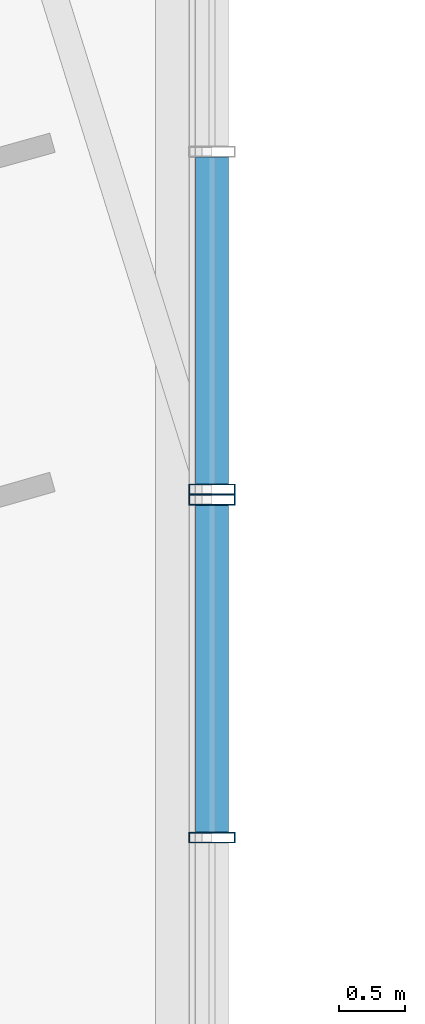
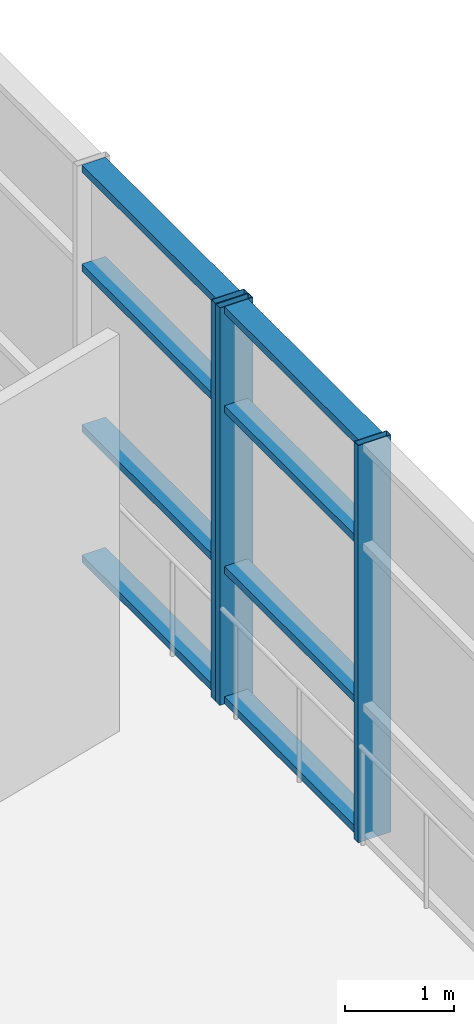
# One storey, part 7 of 26: 11 members, 2 elements without a shape of their own.
"""IFC4 building model written with IfcOpenShell, lengths in metres."""

from ifc_helpers import new_model, si_unit, direction, frame, origin, origin_2d, place, context, subcontext, project, spatial, hollow_rectangle, extrude, material, layer, layer_set, material_profile, profile_set, type_object, element, aggregate, save


model = new_model("IFC4")

# Units and contexts
model_context = context("Model", 3, precision=1e-05, world=origin(), true_north=direction((0.0, 1.0)))
body_context = subcontext(model_context, "Body", "Model", "MODEL_VIEW")
ifc_project = project(units=[si_unit("LENGTHUNIT", "METRE"), si_unit("AREAUNIT", "SQUARE_METRE"), si_unit("VOLUMEUNIT", "CUBIC_METRE"), si_unit("PLANEANGLEUNIT", "RADIAN"), si_unit("MASSUNIT", "GRAM", prefix="KILO")], contexts=[model_context])

# Site, building, storey
site_placement = place(None, origin())
site = spatial("IfcSite", under=ifc_project, at=site_placement, CompositionType="ELEMENT")
building_placement = place(site_placement, origin())
building = spatial("IfcBuilding", under=site, at=building_placement, Name="Tuul Gate Civic Tower", CompositionType="ELEMENT")
storey_placement = place(building_placement, frame((0.0, 0.0, 7.5)))
storey = spatial("IfcBuildingStorey", under=building, at=storey_placement, Name="Level 01", CompositionType="ELEMENT", Elevation=7.5)

# Curtain wall, members
ifc_material_1 = material(Name="Stainless steel", Category="steel")
ifc_layer = layer(ifc_material_1, 0.199951171875)
ifc_layer_set = layer_set([ifc_layer], Name="Stainless steel")
curtain_wall_type = type_object("IfcCurtainWallType", Name="Curtain wall CW2", PredefinedType="NOTDEFINED", material=ifc_layer_set)
curtain_wall_1_placement = place(storey_placement, origin())
curtain_wall_1 = element("IfcCurtainWall", 1, at=curtain_wall_1_placement, inside=storey, type_object=curtain_wall_type, Name="Curtain wall CW2", PredefinedType="NOTDEFINED")
ifc_material_2 = material(Name="Stainless steel", Category="steel")
ifc_material_profile_1 = material_profile(ifc_material_2, hollow_rectangle(XDim=0.35009765625, YDim=0.080078125, WallThickness=0.006103515625, at=origin_2d()), Name="CW2 mullion")
ifc_profile_set_1 = profile_set([ifc_material_profile_1], Name="Stainless steel")
member_type_1 = type_object("IfcMemberType", Name="CW2 mullion", PredefinedType="MULLION", material=ifc_profile_set_1)
member_1_placement = place(storey_placement, frame((-18.0, -4.94287109375, 0.0), z_axis=(0.0, 0.0, 1.0), x_axis=(-1.0, 0.0, 0.0)))
member_1 = element("IfcMember", 2, at=member_1_placement, type_object=member_type_1, Name="Mullion", PredefinedType="MULLION", context=body_context, shape_type="SweptSolid", body=[
    extrude(hollow_rectangle(XDim=0.35009765625, YDim=0.080078125, WallThickness=0.006103515625, at=origin_2d()), origin(), (0.0, 0.0, 1.0), 4.449951171875),
])
member_2_placement = place(storey_placement, frame((-18.0, -2.404052734375, 0.0), z_axis=(0.0, 0.0, 1.0), x_axis=(-1.0, 0.0, 0.0)))
member_2 = element("IfcMember", 3, at=member_2_placement, type_object=member_type_1, Name="Mullion", PredefinedType="MULLION", context=body_context, shape_type="SweptSolid", body=[
    extrude(hollow_rectangle(XDim=0.35009765625, YDim=0.080078125, WallThickness=0.006103515625, at=origin_2d()), origin(), (0.0, 0.0, 1.0), 4.449951171875),
])

# Curtain wall, member
curtain_wall_2_placement = place(storey_placement, origin())
curtain_wall_2 = element("IfcCurtainWall", 4, at=curtain_wall_2_placement, inside=storey, type_object=curtain_wall_type, Name="Curtain wall CW2", PredefinedType="NOTDEFINED")
member_3_placement = place(storey_placement, frame((-18.0, -2.32421875, 0.0), z_axis=(0.0, 0.0, 1.0), x_axis=(-1.0, 0.0, 0.0)))
member_3 = element("IfcMember", 5, at=member_3_placement, type_object=member_type_1, Name="Mullion", PredefinedType="MULLION", context=body_context, shape_type="SweptSolid", body=[
    extrude(hollow_rectangle(XDim=0.35009765625, YDim=0.080078125, WallThickness=0.006103515625, at=origin_2d()), origin(), (0.0, 0.0, 1.0), 4.449951171875),
])

# Member
ifc_material_3 = material(Name="Stainless steel", Category="steel")
ifc_material_profile_2 = material_profile(ifc_material_3, hollow_rectangle(XDim=0.25, YDim=0.080078125, WallThickness=0.006103515625, at=origin_2d()), Name="CW2 transom")
ifc_profile_set_2 = profile_set([ifc_material_profile_2], Name="Stainless steel")
member_type_2 = type_object("IfcMemberType", Name="CW2 transom", PredefinedType="USERDEFINED", material=ifc_profile_set_2)
member_4_placement = place(storey_placement, frame((-18.0, -4.90283203125, 0.0400390625), z_axis=(0.0, 1.0, 0.0), x_axis=(-1.0, 0.0, 0.0)))
member_4 = element("IfcMember", 6, at=member_4_placement, type_object=member_type_2, Name="Transom", ObjectType="TRANSOM", PredefinedType="USERDEFINED", context=body_context, shape_type="SweptSolid", body=[
    extrude(hollow_rectangle(XDim=0.25, YDim=0.080078125, WallThickness=0.006103515625, at=origin_2d()), origin(), (0.0, 0.0, 1.0), 2.458740234375),
])

member_5_placement = place(storey_placement, frame((-18.0, -4.90283203125, 1.5), z_axis=(0.0, 1.0, 0.0), x_axis=(-1.0, 0.0, 0.0)))
member_5 = element("IfcMember", 7, at=member_5_placement, type_object=member_type_2, Name="Transom", ObjectType="TRANSOM", PredefinedType="USERDEFINED", context=body_context, shape_type="SweptSolid", body=[
    extrude(hollow_rectangle(XDim=0.25, YDim=0.080078125, WallThickness=0.006103515625, at=origin_2d()), origin(), (0.0, 0.0, 1.0), 2.458740234375),
])

member_6_placement = place(storey_placement, frame((-18.0, -4.90283203125, 3.300048828125), z_axis=(0.0, 1.0, 0.0), x_axis=(-1.0, 0.0, 0.0)))
member_6 = element("IfcMember", 8, at=member_6_placement, type_object=member_type_2, Name="Transom", ObjectType="TRANSOM", PredefinedType="USERDEFINED", context=body_context, shape_type="SweptSolid", body=[
    extrude(hollow_rectangle(XDim=0.25, YDim=0.080078125, WallThickness=0.006103515625, at=origin_2d()), origin(), (0.0, 0.0, 1.0), 2.458740234375),
])

member_7_placement = place(storey_placement, frame((-18.0, -4.90283203125, 4.409912109375), z_axis=(0.0, 1.0, 0.0), x_axis=(-1.0, 0.0, 0.0)))
member_7 = element("IfcMember", 9, at=member_7_placement, type_object=member_type_2, Name="Transom", ObjectType="TRANSOM", PredefinedType="USERDEFINED", context=body_context, shape_type="SweptSolid", body=[
    extrude(hollow_rectangle(XDim=0.25, YDim=0.080078125, WallThickness=0.006103515625, at=origin_2d()), origin(), (0.0, 0.0, 1.0), 2.458740234375),
])

aggregate(curtain_wall_1, [member_1, member_2, member_4, member_5, member_6, member_7])

member_8_placement = place(storey_placement, frame((-18.0, -2.2841796875, 0.0400390625), z_axis=(0.0, 1.0, 0.0), x_axis=(-1.0, 0.0, 0.0)))
member_8 = element("IfcMember", 10, at=member_8_placement, type_object=member_type_2, Name="Transom", ObjectType="TRANSOM", PredefinedType="USERDEFINED", context=body_context, shape_type="SweptSolid", body=[
    extrude(hollow_rectangle(XDim=0.25, YDim=0.080078125, WallThickness=0.006103515625, at=origin_2d()), origin(), (0.0, 0.0, 1.0), 2.458740234375),
])

member_9_placement = place(storey_placement, frame((-18.0, -2.2841796875, 1.5), z_axis=(0.0, 1.0, 0.0), x_axis=(-1.0, 0.0, 0.0)))
member_9 = element("IfcMember", 11, at=member_9_placement, type_object=member_type_2, Name="Transom", ObjectType="TRANSOM", PredefinedType="USERDEFINED", context=body_context, shape_type="SweptSolid", body=[
    extrude(hollow_rectangle(XDim=0.25, YDim=0.080078125, WallThickness=0.006103515625, at=origin_2d()), origin(), (0.0, 0.0, 1.0), 2.458740234375),
])

member_10_placement = place(storey_placement, frame((-18.0, -2.2841796875, 3.300048828125), z_axis=(0.0, 1.0, 0.0), x_axis=(-1.0, 0.0, 0.0)))
member_10 = element("IfcMember", 12, at=member_10_placement, type_object=member_type_2, Name="Transom", ObjectType="TRANSOM", PredefinedType="USERDEFINED", context=body_context, shape_type="SweptSolid", body=[
    extrude(hollow_rectangle(XDim=0.25, YDim=0.080078125, WallThickness=0.006103515625, at=origin_2d()), origin(), (0.0, 0.0, 1.0), 2.458740234375),
])

member_11_placement = place(storey_placement, frame((-18.0, -2.2841796875, 4.409912109375), z_axis=(0.0, 1.0, 0.0), x_axis=(-1.0, 0.0, 0.0)))
member_11 = element("IfcMember", 13, at=member_11_placement, type_object=member_type_2, Name="Transom", ObjectType="TRANSOM", PredefinedType="USERDEFINED", context=body_context, shape_type="SweptSolid", body=[
    extrude(hollow_rectangle(XDim=0.25, YDim=0.080078125, WallThickness=0.006103515625, at=origin_2d()), origin(), (0.0, 0.0, 1.0), 2.458740234375),
])

aggregate(curtain_wall_2, [member_3, member_8, member_9, member_10, member_11])

save(model, "model.ifc")
